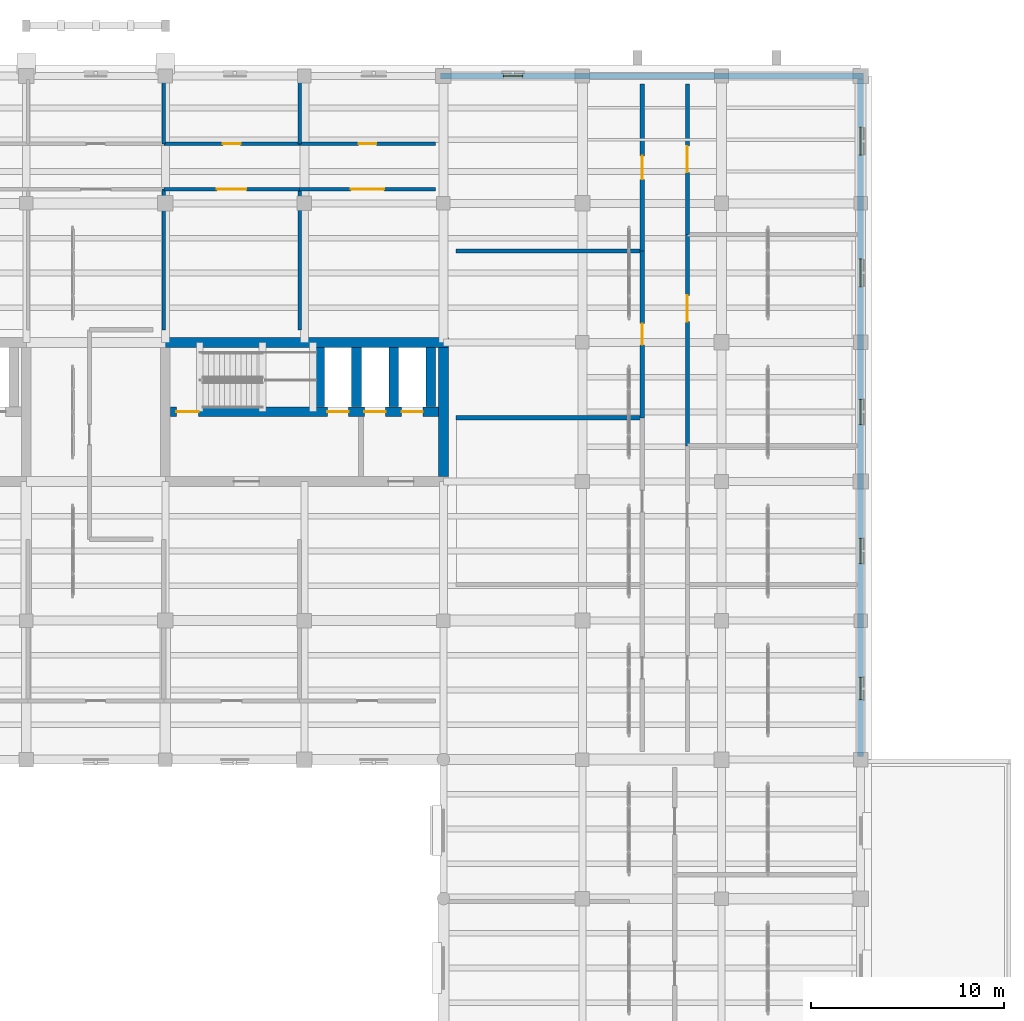
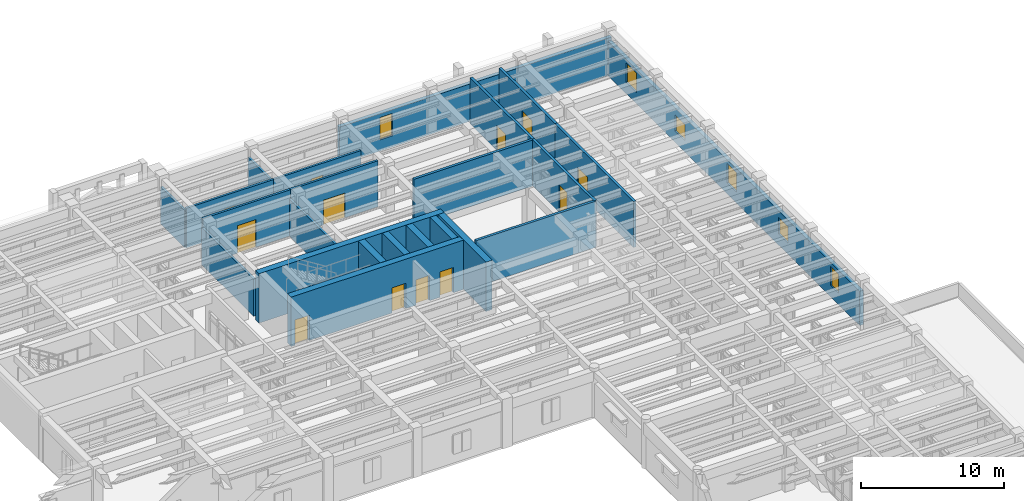
# One storey, part 62 of 76: 23 walls, 12 doors, 6 windows, 18 openings.
"""IFC4 building model written with IfcOpenShell, lengths in metres."""

from ifc_helpers import new_model, si_unit, direction, frame, frame_2d, origin, place, context, subcontext, project, spatial, rectangle, extrude, material, layer, layer_set, type_object, element, fill, save


model = new_model("IFC4")

# Units and contexts
model_context = context("Model", 3, precision=1e-05, world=origin(), true_north=direction((0.0, 1.0)))
body_context = subcontext(model_context, "Body", "Model", "MODEL_VIEW")
ifc_project = project(units=[si_unit("LENGTHUNIT", "METRE"), si_unit("AREAUNIT", "SQUARE_METRE"), si_unit("VOLUMEUNIT", "CUBIC_METRE"), si_unit("PLANEANGLEUNIT", "RADIAN"), si_unit("MASSUNIT", "GRAM", prefix="KILO")], contexts=[model_context])

# Site, building, storey
site_placement = place(None, origin())
site = spatial("IfcSite", under=ifc_project, at=site_placement, CompositionType="ELEMENT")
building_placement = place(site_placement, origin())
building = spatial("IfcBuilding", under=site, at=building_placement, Name="Mithqara Police Headquarters", CompositionType="ELEMENT")
storey_placement = place(building_placement, frame((0.0, 0.0, 5.39990234375)))
storey = spatial("IfcBuildingStorey", under=building, at=storey_placement, Name="L01", CompositionType="ELEMENT", Elevation=5.39990234375)

# Wall, openings, windows
ifc_material_1 = material(Name="Ochre masonry cavity wall, 35 MPa", Category="masonry")
ifc_layer_1 = layer(ifc_material_1, 0.300048828125, Name="Ochre masonry cavity wall, 35 MPa")
ifc_layer_set_1 = layer_set([ifc_layer_1], Name="Ochre masonry cavity wall, 35 MPa")
wall_type_1 = type_object("IfcWallType", Name="EXT WALL OCHRE BRICK300", PredefinedType="SOLIDWALL", material=ifc_layer_set_1)
wall_1_placement = place(storey_placement, frame((166.199951171875, 78.75, 0.0), z_axis=(0.0, 0.0, 1.0), x_axis=(0.0, 1.0, 0.0)))
wall_1 = element("IfcWall", 1, at=wall_1_placement, inside=storey, type_object=wall_type_1, Name="L01 Exterior Wall 8.1", PredefinedType="SOLIDWALL", context=body_context, shape_type="SweptSolid", body=[
    extrude(rectangle(XDim=35.10009765625, YDim=0.300048828125, at=frame_2d((17.550048828125, 0.0))), origin(), (0.0, 0.0, 1.0), 2.920166015625),
])
opening_1_placement = place(wall_1_placement, frame((2.949951171875, 0.0, 0.949951171875)))
opening_1 = element("IfcOpeningElement", 2, at=opening_1_placement, cuts=wall_1, Name="Opening W-12", PredefinedType="OPENING", context=body_context, shape_type="SweptSolid", body=[
    extrude(rectangle(XDim=1.14990234375, YDim=1.64990234375, at=frame_2d((0.574951171875, 0.824951171875))), frame((0.0, 0.16015625, 0.0), z_axis=(0.0, -1.0, 0.0), x_axis=(1.0, 0.0, 0.0)), (0.0, 0.0, 1.0), 0.320068359375),
])
opening_2_placement = place(wall_1_placement, frame((10.0, 0.0, 0.949951171875)))
opening_2 = element("IfcOpeningElement", 3, at=opening_2_placement, cuts=wall_1, Name="Opening W-16", PredefinedType="OPENING", context=body_context, shape_type="SweptSolid", body=[
    extrude(rectangle(XDim=1.300048828125, YDim=1.39990234375, at=frame_2d((0.64990234375, 0.699951171875))), frame((0.0, 0.16015625, 0.0), z_axis=(0.0, -1.0, 0.0), x_axis=(1.0, 0.0, 0.0)), (0.0, 0.0, 1.0), 0.320068359375),
])
opening_3_placement = place(wall_1_placement, frame((17.199951171875, 0.0, 0.949951171875)))
opening_3 = element("IfcOpeningElement", 4, at=opening_3_placement, cuts=wall_1, Name="Opening W-17", PredefinedType="OPENING", context=body_context, shape_type="SweptSolid", body=[
    extrude(rectangle(XDim=1.300048828125, YDim=1.64990234375, at=frame_2d((0.64990234375, 0.824951171875))), frame((0.0, 0.16015625, 0.0), z_axis=(0.0, -1.0, 0.0), x_axis=(1.0, 0.0, 0.0)), (0.0, 0.0, 1.0), 0.320068359375),
])
opening_4_placement = place(wall_1_placement, frame((24.324951171875, 0.0, 0.949951171875)))
opening_4 = element("IfcOpeningElement", 5, at=opening_4_placement, cuts=wall_1, Name="Opening W-21", PredefinedType="OPENING", context=body_context, shape_type="SweptSolid", body=[
    extrude(rectangle(XDim=1.449951171875, YDim=1.39990234375, at=frame_2d((0.72509765625, 0.699951171875))), frame((0.0, 0.16015625, 0.0), z_axis=(0.0, -1.0, 0.0), x_axis=(1.0, 0.0, 0.0)), (0.0, 0.0, 1.0), 0.320068359375),
])
opening_5_placement = place(wall_1_placement, frame((31.14990234375, 0.0, 0.949951171875)))
opening_5 = element("IfcOpeningElement", 6, at=opening_5_placement, cuts=wall_1, Name="Opening W-22", PredefinedType="OPENING", context=body_context, shape_type="SweptSolid", body=[
    extrude(rectangle(XDim=1.449951171875, YDim=1.64990234375, at=frame_2d((0.72509765625, 0.824951171875))), frame((0.0, 0.16015625, 0.0), z_axis=(0.0, -1.0, 0.0), x_axis=(1.0, 0.0, 0.0)), (0.0, 0.0, 1.0), 0.320068359375),
])
ifc_material_2 = material(Name="Spectrally selective double low-e glass", Category="glass")
window_type_1 = type_object("IfcWindowType", Name="WINDOW 1150X1650", PartitioningType="SINGLE_PANEL", PredefinedType="WINDOW", material=ifc_material_2)
window_1_placement = place(opening_1_placement, origin())
window_1 = element("IfcWindow", 7, at=window_1_placement, inside=storey, type_object=window_type_1, Name="L01 Command Block Screened Window 8.1", OverallHeight=1.64990234375, OverallWidth=1.14990234375, PartitioningType="SINGLE_PANEL", PredefinedType="WINDOW", context=body_context, shape_type="SweptSolid", body=[
    extrude(rectangle(XDim=1.14990234375, YDim=1.64990234375, at=frame_2d((0.574951171875, 0.824951171875))), frame((0.0, 0.030029296875, 0.0), z_axis=(0.0, -1.0, 0.0), x_axis=(1.0, 0.0, 0.0)), (0.0, 0.0, 1.0), 0.06005859375),
])
fill(opening_1, window_1)
window_type_2 = type_object("IfcWindowType", Name="WINDOW 1300X1400", PartitioningType="SINGLE_PANEL", PredefinedType="WINDOW", material=ifc_material_2)
window_2_placement = place(opening_2_placement, origin())
window_2 = element("IfcWindow", 8, at=window_2_placement, inside=storey, type_object=window_type_2, Name="L01 Command Block Screened Window 8.2", OverallHeight=1.39990234375, OverallWidth=1.300048828125, PartitioningType="SINGLE_PANEL", PredefinedType="WINDOW", context=body_context, shape_type="SweptSolid", body=[
    extrude(rectangle(XDim=1.300048828125, YDim=1.39990234375, at=frame_2d((0.64990234375, 0.699951171875))), frame((0.0, 0.030029296875, 0.0), z_axis=(0.0, -1.0, 0.0), x_axis=(1.0, 0.0, 0.0)), (0.0, 0.0, 1.0), 0.06005859375),
])
fill(opening_2, window_2)
window_type_3 = type_object("IfcWindowType", Name="WINDOW 1300X1650", PartitioningType="SINGLE_PANEL", PredefinedType="WINDOW", material=ifc_material_2)
window_3_placement = place(opening_3_placement, origin())
window_3 = element("IfcWindow", 9, at=window_3_placement, inside=storey, type_object=window_type_3, Name="L01 Command Block Screened Window 8.3", OverallHeight=1.64990234375, OverallWidth=1.300048828125, PartitioningType="SINGLE_PANEL", PredefinedType="WINDOW", context=body_context, shape_type="SweptSolid", body=[
    extrude(rectangle(XDim=1.300048828125, YDim=1.64990234375, at=frame_2d((0.64990234375, 0.824951171875))), frame((0.0, 0.030029296875, 0.0), z_axis=(0.0, -1.0, 0.0), x_axis=(1.0, 0.0, 0.0)), (0.0, 0.0, 1.0), 0.06005859375),
])
fill(opening_3, window_3)
window_type_4 = type_object("IfcWindowType", Name="WINDOW 1450X1400", PartitioningType="SINGLE_PANEL", PredefinedType="WINDOW", material=ifc_material_2)
window_4_placement = place(opening_4_placement, origin())
window_4 = element("IfcWindow", 10, at=window_4_placement, inside=storey, type_object=window_type_4, Name="L01 Command Block Screened Window 8.4", OverallHeight=1.39990234375, OverallWidth=1.449951171875, PartitioningType="SINGLE_PANEL", PredefinedType="WINDOW", context=body_context, shape_type="SweptSolid", body=[
    extrude(rectangle(XDim=1.449951171875, YDim=1.39990234375, at=frame_2d((0.72509765625, 0.699951171875))), frame((0.0, 0.030029296875, 0.0), z_axis=(0.0, -1.0, 0.0), x_axis=(1.0, 0.0, 0.0)), (0.0, 0.0, 1.0), 0.06005859375),
])
fill(opening_4, window_4)
window_type_5 = type_object("IfcWindowType", Name="WINDOW 1450X1650", PartitioningType="SINGLE_PANEL", PredefinedType="WINDOW", material=ifc_material_2)
window_5_placement = place(opening_5_placement, origin())
window_5 = element("IfcWindow", 11, at=window_5_placement, inside=storey, type_object=window_type_5, Name="L01 Command Block Screened Window 8.5", OverallHeight=1.64990234375, OverallWidth=1.449951171875, PartitioningType="SINGLE_PANEL", PredefinedType="WINDOW", context=body_context, shape_type="SweptSolid", body=[
    extrude(rectangle(XDim=1.449951171875, YDim=1.64990234375, at=frame_2d((0.72509765625, 0.824951171875))), frame((0.0, 0.030029296875, 0.0), z_axis=(0.0, -1.0, 0.0), x_axis=(1.0, 0.0, 0.0)), (0.0, 0.0, 1.0), 0.06005859375),
])
fill(opening_5, window_5)

# Wall, opening, window
wall_2_placement = place(storey_placement, frame((166.35009765625, 114.0, 0.0), z_axis=(0.0, 0.0, 1.0), x_axis=(-1.0, 0.0, 0.0)))
wall_2 = element("IfcWall", 12, at=wall_2_placement, inside=storey, type_object=wall_type_1, Name="L01 Exterior Wall 9.1", PredefinedType="SOLIDWALL", context=body_context, shape_type="SweptSolid", body=[
    extrude(rectangle(XDim=21.900146484375, YDim=0.300048828125, at=frame_2d((10.9501953125, 0.0))), origin(), (0.0, 0.0, 1.0), 3.170166015625),
])
opening_6_placement = place(wall_2_placement, frame((17.64990234375, 0.0, 0.949951171875)))
opening_6 = element("IfcOpeningElement", 13, at=opening_6_placement, cuts=wall_2, Name="Opening W-08", PredefinedType="OPENING", context=body_context, shape_type="SweptSolid", body=[
    extrude(rectangle(XDim=1.0, YDim=1.89990234375, at=frame_2d((0.5, 0.949951171875))), frame((0.0, 0.16015625, 0.0), z_axis=(0.0, -1.0, 0.0), x_axis=(1.0, 0.0, 0.0)), (0.0, 0.0, 1.0), 0.320068359375),
])
window_type_6 = type_object("IfcWindowType", Name="WINDOW 1000X1900", PartitioningType="SINGLE_PANEL", PredefinedType="WINDOW", material=ifc_material_2)
window_6_placement = place(opening_6_placement, origin())
window_6 = element("IfcWindow", 14, at=window_6_placement, inside=storey, type_object=window_type_6, Name="L01 Command Block Screened Window 9.1", OverallHeight=1.89990234375, OverallWidth=1.0, PartitioningType="SINGLE_PANEL", PredefinedType="WINDOW", context=body_context, shape_type="SweptSolid", body=[
    extrude(rectangle(XDim=1.0, YDim=1.89990234375, at=frame_2d((0.5, 0.949951171875))), frame((0.0, 0.030029296875, 0.0), z_axis=(0.0, -1.0, 0.0), x_axis=(1.0, 0.0, 0.0)), (0.0, 0.0, 1.0), 0.06005859375),
])
fill(opening_6, window_6)

# Wall
ifc_material_3 = material(Name="Concrete C40/50", Category="concrete")
ifc_layer_2 = layer(ifc_material_3, 0.179931640625, Name="Concrete C40/50")
ifc_layer_set_2 = layer_set([ifc_layer_2], Name="Concrete C40/50")
wall_type_2 = type_object("IfcWallType", Name="PART WALL 180", PredefinedType="PARTITIONING", material=ifc_layer_set_2)
wall_3_placement = place(storey_placement, frame((130.115966796875, 100.85009765625, 0.0), z_axis=(0.0, 0.0, 1.0), x_axis=(0.0, 1.0, 0.0)))
element("IfcWall", 15, at=wall_3_placement, inside=storey, type_object=wall_type_2, Name="L01 Room Partition Briefing Room", PredefinedType="PARTITIONING", context=body_context, shape_type="SweptSolid", body=[
    extrude(rectangle(XDim=7.289794921875, YDim=0.179931640625, at=frame_2d((3.64501953125, 0.0))), origin(), (0.0, 0.0, 1.0), 3.170166015625),
])

# Wall, opening, door
wall_4_placement = place(storey_placement, frame((130.115966796875, 108.139892578125, 0.0), z_axis=(0.0, 0.0, 1.0), x_axis=(1.0, 0.0, 0.0)))
wall_4 = element("IfcWall", 16, at=wall_4_placement, inside=storey, type_object=wall_type_2, Name="L01 Corridor Wall Duty Sergeant Office", PredefinedType="PARTITIONING", context=body_context, shape_type="SweptSolid", body=[
    extrude(rectangle(XDim=7.031982421875, YDim=0.179931640625, at=frame_2d((3.51611328125, 0.0))), origin(), (0.0, 0.0, 1.0), 3.920166015625),
])
opening_7_placement = place(wall_4_placement, frame((2.756103515625, 0.0, 0.0)))
opening_7 = element("IfcOpeningElement", 17, at=opening_7_placement, cuts=wall_4, Name="Opening D-21", PredefinedType="OPENING", context=body_context, shape_type="SweptSolid", body=[
    extrude(rectangle(XDim=1.52001953125, YDim=2.35009765625, at=frame_2d((0.760009765625, 1.175048828125))), frame((0.0, 0.10009765625, 0.0), z_axis=(0.0, -1.0, 0.0), x_axis=(1.0, 0.0, 0.0)), (0.0, 0.0, 1.0), 0.199951171875),
])
ifc_material_4 = material(Name="Bronze anodised aluminium 6063-T6", Category="aluminium")
door_type_1 = type_object("IfcDoorType", Name="INT DOOR 1520X2350", OperationType="NOTDEFINED", PredefinedType="DOOR", material=ifc_material_4)
door_1_placement = place(opening_7_placement, frame((1.52001953125, 0.0, 0.0), z_axis=(0.0, 0.0, 1.0), x_axis=(-1.0, 0.0, 0.0)))
door_1 = element("IfcDoor", 18, at=door_1_placement, inside=storey, type_object=door_type_1, Name="Duty Sergeant Office Entry Door", OperationType="DOUBLE_DOOR_SINGLE_SWING", OverallHeight=2.35009765625, OverallWidth=1.52001953125, PredefinedType="DOOR", context=body_context, shape_type="SweptSolid", body=[
    extrude(rectangle(XDim=1.52001953125, YDim=2.35009765625, at=frame_2d((0.760009765625, 1.175048828125))), frame((0.0, 0.02490234375, 0.0), z_axis=(0.0, -1.0, 0.0), x_axis=(1.0, 0.0, 0.0)), (0.0, 0.0, 1.0), 0.050048828125),
])
fill(opening_7, door_1)

# Wall
wall_5_placement = place(storey_placement, frame((137.14794921875, 100.85009765625, 0.0), z_axis=(0.0, 0.0, 1.0), x_axis=(0.0, 1.0, 0.0)))
element("IfcWall", 19, at=wall_5_placement, inside=storey, type_object=wall_type_2, Name="L01 Room Partition Duty Sergeant Office", PredefinedType="PARTITIONING", context=body_context, shape_type="SweptSolid", body=[
    extrude(rectangle(XDim=7.289794921875, YDim=0.179931640625, at=frame_2d((3.64501953125, 0.0))), origin(), (0.0, 0.0, 1.0), 3.170166015625),
])

# Wall, opening, door
wall_6_placement = place(storey_placement, frame((137.14794921875, 108.139892578125, 0.0), z_axis=(0.0, 0.0, 1.0), x_axis=(1.0, 0.0, 0.0)))
wall_6 = element("IfcWall", 20, at=wall_6_placement, inside=storey, type_object=wall_type_2, Name="L01 Corridor Wall Traffic Patrol Operations Room", PredefinedType="PARTITIONING", context=body_context, shape_type="SweptSolid", body=[
    extrude(rectangle(XDim=7.031982421875, YDim=0.179931640625, at=frame_2d((3.51611328125, 0.0))), origin(), (0.0, 0.0, 1.0), 3.920166015625),
])
opening_8_placement = place(wall_6_placement, frame((2.656005859375, 0.0, 0.0)))
opening_8 = element("IfcOpeningElement", 21, at=opening_8_placement, cuts=wall_6, Name="Opening D-22", PredefinedType="OPENING", context=body_context, shape_type="SweptSolid", body=[
    extrude(rectangle(XDim=1.719970703125, YDim=2.10009765625, at=frame_2d((0.85986328125, 1.050048828125))), frame((0.0, 0.10009765625, 0.0), z_axis=(0.0, -1.0, 0.0), x_axis=(1.0, 0.0, 0.0)), (0.0, 0.0, 1.0), 0.199951171875),
])
door_type_2 = type_object("IfcDoorType", Name="INT DOOR 1720X2100", OperationType="NOTDEFINED", PredefinedType="DOOR", material=ifc_material_4)
door_2_placement = place(opening_8_placement, frame((1.719970703125, 0.0, 0.0), z_axis=(0.0, 0.0, 1.0), x_axis=(-1.0, 0.0, 0.0)))
door_2 = element("IfcDoor", 22, at=door_2_placement, inside=storey, type_object=door_type_2, Name="Traffic Patrol Operations Room Entry Door", OperationType="DOUBLE_DOOR_SINGLE_SWING", OverallHeight=2.10009765625, OverallWidth=1.719970703125, PredefinedType="DOOR", context=body_context, shape_type="SweptSolid", body=[
    extrude(rectangle(XDim=1.719970703125, YDim=2.10009765625, at=frame_2d((0.85986328125, 1.050048828125))), frame((0.0, 0.02490234375, 0.0), z_axis=(0.0, -1.0, 0.0), x_axis=(1.0, 0.0, 0.0)), (0.0, 0.0, 1.0), 0.050048828125),
])
fill(opening_8, door_2)

# Wall
wall_7_placement = place(storey_placement, frame((130.115966796875, 110.47998046875, 0.0), z_axis=(0.0, 0.0, 1.0), x_axis=(0.0, 1.0, 0.0)))
element("IfcWall", 23, at=wall_7_placement, inside=storey, type_object=wall_type_2, Name="L01 Room Partition Duty Sergeant Office", PredefinedType="PARTITIONING", context=body_context, shape_type="SweptSolid", body=[
    extrude(rectangle(XDim=3.340087890625, YDim=0.179931640625, at=frame_2d((1.669921875, 0.0))), origin(), (0.0, 0.0, 1.0), 3.170166015625),
])

# Wall, opening, door
wall_8_placement = place(storey_placement, frame((130.115966796875, 110.47998046875, 0.0), z_axis=(0.0, 0.0, 1.0), x_axis=(1.0, 0.0, 0.0)))
wall_8 = element("IfcWall", 24, at=wall_8_placement, inside=storey, type_object=wall_type_2, Name="L01 Corridor Wall Traffic Patrol Operations Room", PredefinedType="PARTITIONING", context=body_context, shape_type="SweptSolid", body=[
    extrude(rectangle(XDim=7.031982421875, YDim=0.179931640625, at=frame_2d((3.51611328125, 0.0))), origin(), (0.0, 0.0, 1.0), 3.3701171875),
])
opening_9_placement = place(wall_8_placement, frame((3.055908203125, 0.0, 0.0)))
opening_9 = element("IfcOpeningElement", 25, at=opening_9_placement, cuts=wall_8, Name="Opening D-02", PredefinedType="OPENING", context=body_context, shape_type="SweptSolid", body=[
    extrude(rectangle(XDim=0.919921875, YDim=2.219970703125, at=frame_2d((0.4599609375, 1.10986328125))), frame((0.0, 0.10009765625, 0.0), z_axis=(0.0, -1.0, 0.0), x_axis=(1.0, 0.0, 0.0)), (0.0, 0.0, 1.0), 0.199951171875),
])
ifc_material_5 = material(Name="Acoustic solid-core timber leaf", Category="wood")
door_type_3 = type_object("IfcDoorType", Name="INT DOOR 920X2220", OperationType="NOTDEFINED", PredefinedType="DOOR", material=ifc_material_5)
door_3_placement = place(opening_9_placement, origin())
door_3 = element("IfcDoor", 26, at=door_3_placement, inside=storey, type_object=door_type_3, Name="Traffic Patrol Operations Room Entry Door", OperationType="SINGLE_SWING_LEFT", OverallHeight=2.219970703125, OverallWidth=0.919921875, PredefinedType="DOOR", context=body_context, shape_type="SweptSolid", body=[
    extrude(rectangle(XDim=0.919921875, YDim=2.219970703125, at=frame_2d((0.4599609375, 1.10986328125))), frame((0.0, 0.02490234375, 0.0), z_axis=(0.0, -1.0, 0.0), x_axis=(1.0, 0.0, 0.0)), (0.0, 0.0, 1.0), 0.050048828125),
])
fill(opening_9, door_3)

# Wall
wall_9_placement = place(storey_placement, frame((137.14794921875, 110.47998046875, 0.0), z_axis=(0.0, 0.0, 1.0), x_axis=(0.0, 1.0, 0.0)))
element("IfcWall", 27, at=wall_9_placement, inside=storey, type_object=wall_type_2, Name="L01 Room Partition Traffic Patrol Operations Room", PredefinedType="PARTITIONING", context=body_context, shape_type="SweptSolid", body=[
    extrude(rectangle(XDim=3.340087890625, YDim=0.179931640625, at=frame_2d((1.669921875, 0.0))), origin(), (0.0, 0.0, 1.0), 3.22021484375),
])

# Wall, opening, door
wall_10_placement = place(storey_placement, frame((137.14794921875, 110.47998046875, 0.0), z_axis=(0.0, 0.0, 1.0), x_axis=(1.0, 0.0, 0.0)))
wall_10 = element("IfcWall", 28, at=wall_10_placement, inside=storey, type_object=wall_type_2, Name="L01 Corridor Wall Municipal Camera Liaison Room", PredefinedType="PARTITIONING", context=body_context, shape_type="SweptSolid", body=[
    extrude(rectangle(XDim=7.031982421875, YDim=0.179931640625, at=frame_2d((3.51611328125, 0.0))), origin(), (0.0, 0.0, 1.0), 3.3701171875),
])
opening_10_placement = place(wall_10_placement, frame((3.055908203125, 0.0, 0.0)))
opening_10 = element("IfcOpeningElement", 29, at=opening_10_placement, cuts=wall_10, Name="Opening D-03", PredefinedType="OPENING", context=body_context, shape_type="SweptSolid", body=[
    extrude(rectangle(XDim=0.919921875, YDim=2.35009765625, at=frame_2d((0.4599609375, 1.175048828125))), frame((0.0, 0.10009765625, 0.0), z_axis=(0.0, -1.0, 0.0), x_axis=(1.0, 0.0, 0.0)), (0.0, 0.0, 1.0), 0.199951171875),
])
door_type_4 = type_object("IfcDoorType", Name="INT DOOR 920X2350", OperationType="NOTDEFINED", PredefinedType="DOOR", material=ifc_material_5)
door_4_placement = place(opening_10_placement, origin())
door_4 = element("IfcDoor", 30, at=door_4_placement, inside=storey, type_object=door_type_4, Name="Municipal Camera Liaison Room Entry Door", OperationType="SINGLE_SWING_RIGHT", OverallHeight=2.35009765625, OverallWidth=0.919921875, PredefinedType="DOOR", context=body_context, shape_type="SweptSolid", body=[
    extrude(rectangle(XDim=0.919921875, YDim=2.35009765625, at=frame_2d((0.4599609375, 1.175048828125))), frame((0.0, 0.02490234375, 0.0), z_axis=(0.0, -1.0, 0.0), x_axis=(1.0, 0.0, 0.0)), (0.0, 0.0, 1.0), 0.050048828125),
])
fill(opening_10, door_4)

# Wall
ifc_layer_3 = layer(ifc_material_3, 0.2099609375, Name="Concrete C40/50")
ifc_layer_set_3 = layer_set([ifc_layer_3], Name="Concrete C40/50")
wall_type_3 = type_object("IfcWallType", Name="PART WALL 210", PredefinedType="PARTITIONING", material=ifc_layer_set_3)
wall_11_placement = place(storey_placement, frame((145.25, 96.300048828125, 0.0), z_axis=(0.0, 0.0, 1.0), x_axis=(1.0, 0.0, 0.0)))
element("IfcWall", 31, at=wall_11_placement, inside=storey, type_object=wall_type_3, Name="L01 Room Partition Patrol Supervisors' Office", PredefinedType="PARTITIONING", context=body_context, shape_type="SweptSolid", body=[
    extrude(rectangle(XDim=9.64501953125, YDim=0.2099609375, at=frame_2d((4.822509765625, 0.0))), origin(), (0.0, 0.0, 1.0), 3.920166015625),
])

# Wall, opening, door
wall_12_placement = place(storey_placement, frame((154.89501953125, 96.300048828125, 0.0), z_axis=(0.0, 0.0, 1.0), x_axis=(0.0, 1.0, 0.0)))
wall_12 = element("IfcWall", 32, at=wall_12_placement, inside=storey, type_object=wall_type_3, Name="L01 Corridor Wall Male Staff WC", PredefinedType="PARTITIONING", context=body_context, shape_type="SweptSolid", body=[
    extrude(rectangle(XDim=8.639892578125, YDim=0.2099609375, at=frame_2d((4.31982421875, 0.0))), origin(), (0.0, 0.0, 1.0), 3.920166015625),
])
opening_11_placement = place(wall_12_placement, frame((3.77001953125, 0.0, 0.0)))
opening_11 = element("IfcOpeningElement", 33, at=opening_11_placement, cuts=wall_12, Name="Opening D-12", PredefinedType="OPENING", context=body_context, shape_type="SweptSolid", body=[
    extrude(rectangle(XDim=1.10009765625, YDim=2.35009765625, at=frame_2d((0.550048828125, 1.175048828125))), frame((0.0, 0.114990234375, 0.0), z_axis=(0.0, -1.0, 0.0), x_axis=(1.0, 0.0, 0.0)), (0.0, 0.0, 1.0), 0.22998046875),
])
door_type_5 = type_object("IfcDoorType", Name="INT DOOR 1100X2350", OperationType="NOTDEFINED", PredefinedType="DOOR", material=ifc_material_5)
door_5_placement = place(opening_11_placement, frame((1.10009765625, 0.0, 0.0), z_axis=(0.0, 0.0, 1.0), x_axis=(-1.0, 0.0, 0.0)))
door_5 = element("IfcDoor", 34, at=door_5_placement, inside=storey, type_object=door_type_5, Name="Male Staff WC Entry Door", OperationType="SINGLE_SWING_LEFT", OverallHeight=2.35009765625, OverallWidth=1.10009765625, PredefinedType="DOOR", context=body_context, shape_type="SweptSolid", body=[
    extrude(rectangle(XDim=1.10009765625, YDim=2.35009765625, at=frame_2d((0.550048828125, 1.175048828125))), frame((0.0, 0.02490234375, 0.0), z_axis=(0.0, -1.0, 0.0), x_axis=(1.0, 0.0, 0.0)), (0.0, 0.0, 1.0), 0.050048828125),
])
fill(opening_11, door_5)

# Wall
wall_13_placement = place(storey_placement, frame((145.25, 104.93994140625, 0.0), z_axis=(0.0, 0.0, 1.0), x_axis=(1.0, 0.0, 0.0)))
element("IfcWall", 35, at=wall_13_placement, inside=storey, type_object=wall_type_3, Name="L01 Room Partition Male Staff WC", PredefinedType="PARTITIONING", context=body_context, shape_type="SweptSolid", body=[
    extrude(rectangle(XDim=9.64501953125, YDim=0.2099609375, at=frame_2d((4.822509765625, 0.0))), origin(), (0.0, 0.0, 1.0), 3.920166015625),
])

# Wall, opening, door
wall_14_placement = place(storey_placement, frame((154.89501953125, 104.93994140625, 0.0), z_axis=(0.0, 0.0, 1.0), x_axis=(0.0, 1.0, 0.0)))
wall_14 = element("IfcWall", 36, at=wall_14_placement, inside=storey, type_object=wall_type_3, Name="L01 Corridor Wall Female Staff WC", PredefinedType="PARTITIONING", context=body_context, shape_type="SweptSolid", body=[
    extrude(rectangle(XDim=8.64013671875, YDim=0.2099609375, at=frame_2d((4.320068359375, 0.0))), origin(), (0.0, 0.0, 1.0), 3.920166015625),
])
opening_12_placement = place(wall_14_placement, frame((3.7099609375, 0.0, 0.0)))
opening_12 = element("IfcOpeningElement", 37, at=opening_12_placement, cuts=wall_14, Name="Opening D-13", PredefinedType="OPENING", context=body_context, shape_type="SweptSolid", body=[
    extrude(rectangle(XDim=1.219970703125, YDim=2.10009765625, at=frame_2d((0.60986328125, 1.050048828125))), frame((0.0, 0.114990234375, 0.0), z_axis=(0.0, -1.0, 0.0), x_axis=(1.0, 0.0, 0.0)), (0.0, 0.0, 1.0), 0.22998046875),
])
door_type_6 = type_object("IfcDoorType", Name="INT DOOR 1220X2100", OperationType="NOTDEFINED", PredefinedType="DOOR", material=ifc_material_5)
door_6_placement = place(opening_12_placement, frame((1.219970703125, 0.0, 0.0), z_axis=(0.0, 0.0, 1.0), x_axis=(-1.0, 0.0, 0.0)))
door_6 = element("IfcDoor", 38, at=door_6_placement, inside=storey, type_object=door_type_6, Name="Female Staff WC Entry Door", OperationType="SINGLE_SWING_RIGHT", OverallHeight=2.10009765625, OverallWidth=1.219970703125, PredefinedType="DOOR", context=body_context, shape_type="SweptSolid", body=[
    extrude(rectangle(XDim=1.219970703125, YDim=2.10009765625, at=frame_2d((0.60986328125, 1.050048828125))), frame((0.0, 0.02490234375, 0.0), z_axis=(0.0, -1.0, 0.0), x_axis=(1.0, 0.0, 0.0)), (0.0, 0.0, 1.0), 0.050048828125),
])
fill(opening_12, door_6)

wall_15_placement = place(storey_placement, frame((157.235107421875, 94.85009765625, 0.0), z_axis=(0.0, 0.0, 1.0), x_axis=(0.0, 1.0, 0.0)))
wall_15 = element("IfcWall", 39, at=wall_15_placement, inside=storey, type_object=wall_type_3, Name="L01 Corridor Wall Patrol Supervisors' Office", PredefinedType="PARTITIONING", context=body_context, shape_type="SweptSolid", body=[
    extrude(rectangle(XDim=10.93994140625, YDim=0.2099609375, at=frame_2d((5.469970703125, 0.0))), origin(), (0.0, 0.0, 1.0), 3.920166015625),
])
opening_13_placement = place(wall_15_placement, frame((6.430908203125, 0.0, 0.0)))
opening_13 = element("IfcOpeningElement", 40, at=opening_13_placement, cuts=wall_15, Name="Opening D-16", PredefinedType="OPENING", context=body_context, shape_type="SweptSolid", body=[
    extrude(rectangle(XDim=1.360107421875, YDim=2.10009765625, at=frame_2d((0.68017578125, 1.050048828125))), frame((0.0, 0.114990234375, 0.0), z_axis=(0.0, -1.0, 0.0), x_axis=(1.0, 0.0, 0.0)), (0.0, 0.0, 1.0), 0.22998046875),
])
door_type_7 = type_object("IfcDoorType", Name="INT DOOR 1360X2100", OperationType="NOTDEFINED", PredefinedType="DOOR", material=ifc_material_4)
door_7_placement = place(opening_13_placement, origin())
door_7 = element("IfcDoor", 41, at=door_7_placement, inside=storey, type_object=door_type_7, Name="Patrol Supervisors' Office Entry Door", OperationType="SINGLE_SWING_LEFT", OverallHeight=2.10009765625, OverallWidth=1.360107421875, PredefinedType="DOOR", context=body_context, shape_type="SweptSolid", body=[
    extrude(rectangle(XDim=1.360107421875, YDim=2.10009765625, at=frame_2d((0.68017578125, 1.050048828125))), frame((0.0, 0.02490234375, 0.0), z_axis=(0.0, -1.0, 0.0), x_axis=(1.0, 0.0, 0.0)), (0.0, 0.0, 1.0), 0.050048828125),
])
fill(opening_13, door_7)

wall_16_placement = place(storey_placement, frame((157.235107421875, 105.7900390625, 0.0), z_axis=(0.0, 0.0, 1.0), x_axis=(0.0, 1.0, 0.0)))
wall_16 = element("IfcWall", 42, at=wall_16_placement, inside=storey, type_object=wall_type_3, Name="L01 Corridor Wall Male Staff WC", PredefinedType="PARTITIONING", context=body_context, shape_type="SweptSolid", body=[
    extrude(rectangle(XDim=7.7900390625, YDim=0.2099609375, at=frame_2d((3.89501953125, 0.0))), origin(), (0.0, 0.0, 1.0), 3.920166015625),
])
opening_14_placement = place(wall_16_placement, frame((3.215087890625, 0.0, 0.0)))
opening_14 = element("IfcOpeningElement", 43, at=opening_14_placement, cuts=wall_16, Name="Opening D-17", PredefinedType="OPENING", context=body_context, shape_type="SweptSolid", body=[
    extrude(rectangle(XDim=1.360107421875, YDim=2.219970703125, at=frame_2d((0.68017578125, 1.10986328125))), frame((0.0, 0.114990234375, 0.0), z_axis=(0.0, -1.0, 0.0), x_axis=(1.0, 0.0, 0.0)), (0.0, 0.0, 1.0), 0.22998046875),
])
door_type_8 = type_object("IfcDoorType", Name="INT DOOR 1360X2220", OperationType="NOTDEFINED", PredefinedType="DOOR", material=ifc_material_4)
door_8_placement = place(opening_14_placement, origin())
door_8 = element("IfcDoor", 44, at=door_8_placement, inside=storey, type_object=door_type_8, Name="Male Staff WC Entry Door", OperationType="SINGLE_SWING_RIGHT", OverallHeight=2.219970703125, OverallWidth=1.360107421875, PredefinedType="DOOR", context=body_context, shape_type="SweptSolid", body=[
    extrude(rectangle(XDim=1.360107421875, YDim=2.219970703125, at=frame_2d((0.68017578125, 1.10986328125))), frame((0.0, 0.02490234375, 0.0), z_axis=(0.0, -1.0, 0.0), x_axis=(1.0, 0.0, 0.0)), (0.0, 0.0, 1.0), 0.050048828125),
])
fill(opening_14, door_8)

# Walls
ifc_material_6 = material(Name="Concrete C50/60", Category="concrete")
ifc_layer_4 = layer(ifc_material_6, 0.5, Name="Concrete C50/60")
ifc_layer_set_4 = layer_set([ifc_layer_4], Name="Concrete C50/60")
wall_type_4 = type_object("IfcWallType", Name="SHEAR WALL 500", PredefinedType="SHEAR", material=ifc_layer_set_4)
wall_17_placement = place(storey_placement, frame((129.949951171875, 100.199951171875, 0.0), z_axis=(0.0, 0.0, 1.0), x_axis=(1.0, 0.0, 0.0)))
element("IfcWall", 45, at=wall_17_placement, inside=storey, type_object=wall_type_4, Name="Core C2 Command East Shear Wall N", PredefinedType="SHEAR", context=body_context, shape_type="SweptSolid", body=[
    extrude(rectangle(XDim=14.900146484375, YDim=0.5, at=frame_2d((7.4501953125, 0.0))), origin(), (0.0, 0.0, 1.0), 4.2001953125),
])
wall_18_placement = place(storey_placement, frame((144.60009765625, 93.260009765625, 0.0), z_axis=(0.0, 0.0, 1.0), x_axis=(0.0, 1.0, 0.0)))
element("IfcWall", 46, at=wall_18_placement, inside=storey, type_object=wall_type_4, Name="Core C2 Command East Shear Wall E", PredefinedType="SHEAR", context=body_context, shape_type="SweptSolid", body=[
    extrude(rectangle(XDim=6.679931640625, YDim=0.5, at=frame_2d((3.33984375, 0.0))), origin(), (0.0, 0.0, 1.0), 4.2001953125),
])

# Wall, openings, doors
wall_19_placement = place(storey_placement, frame((130.4599609375, 96.6201171875, 0.0), z_axis=(0.0, 0.0, 1.0), x_axis=(1.0, 0.0, 0.0)))
wall_19 = element("IfcWall", 47, at=wall_19_placement, inside=storey, type_object=wall_type_4, Name="Core C2 Command East Shear Wall M", PredefinedType="SHEAR", context=body_context, shape_type="SweptSolid", body=[
    extrude(rectangle(XDim=13.880126953125, YDim=0.5, at=frame_2d((6.93994140625, 0.0))), origin(), (0.0, 0.0, 1.0), 4.2001953125),
])
opening_15_placement = place(wall_19_placement, frame((8.1298828125, 0.0, 0.0)))
opening_15 = element("IfcOpeningElement", 48, at=opening_15_placement, cuts=wall_19, Name="Opening LD-01", PredefinedType="OPENING", context=body_context, shape_type="SweptSolid", body=[
    extrude(rectangle(XDim=1.10009765625, YDim=2.14990234375, at=frame_2d((0.550048828125, 1.074951171875))), frame((0.0, 0.260009765625, 0.0), z_axis=(0.0, -1.0, 0.0), x_axis=(1.0, 0.0, 0.0)), (0.0, 0.0, 1.0), 0.52001953125),
])
opening_16_placement = place(wall_19_placement, frame((10.050048828125, 0.0, 0.0)))
opening_16 = element("IfcOpeningElement", 49, at=opening_16_placement, cuts=wall_19, Name="Opening LD-01", PredefinedType="OPENING", context=body_context, shape_type="SweptSolid", body=[
    extrude(rectangle(XDim=1.10009765625, YDim=2.14990234375, at=frame_2d((0.550048828125, 1.074951171875))), frame((0.0, 0.260009765625, 0.0), z_axis=(0.0, -1.0, 0.0), x_axis=(1.0, 0.0, 0.0)), (0.0, 0.0, 1.0), 0.52001953125),
])
opening_17_placement = place(wall_19_placement, frame((11.969970703125, 0.0, 0.0)))
opening_17 = element("IfcOpeningElement", 50, at=opening_17_placement, cuts=wall_19, Name="Opening LD-01", PredefinedType="OPENING", context=body_context, shape_type="SweptSolid", body=[
    extrude(rectangle(XDim=1.10009765625, YDim=2.14990234375, at=frame_2d((0.550048828125, 1.074951171875))), frame((0.0, 0.260009765625, 0.0), z_axis=(0.0, -1.0, 0.0), x_axis=(1.0, 0.0, 0.0)), (0.0, 0.0, 1.0), 0.52001953125),
])
opening_18_placement = place(wall_19_placement, frame((0.31494140625, 0.0, 0.0)))
opening_18 = element("IfcOpeningElement", 51, at=opening_18_placement, cuts=wall_19, Name="Opening FD-01", PredefinedType="OPENING", context=body_context, shape_type="SweptSolid", body=[
    extrude(rectangle(XDim=1.14990234375, YDim=2.14990234375, at=frame_2d((0.574951171875, 1.074951171875))), frame((0.0, 0.260009765625, 0.0), z_axis=(0.0, -1.0, 0.0), x_axis=(1.0, 0.0, 0.0)), (0.0, 0.0, 1.0), 0.52001953125),
])
ifc_material_7 = material(Name="Steel S355JR", Category="steel")
door_type_9 = type_object("IfcDoorType", Name="CORE DOOR STAIR 1150X2150", OperationType="NOTDEFINED", PredefinedType="DOOR", material=ifc_material_7)
door_9_placement = place(opening_18_placement, origin())
door_9 = element("IfcDoor", 52, at=door_9_placement, inside=storey, type_object=door_type_9, Name="Stair ST-02 Fire Door L01", OperationType="SINGLE_SWING_LEFT", OverallHeight=2.14990234375, OverallWidth=1.14990234375, PredefinedType="DOOR", context=body_context, shape_type="SweptSolid", body=[
    extrude(rectangle(XDim=1.14990234375, YDim=2.14990234375, at=frame_2d((0.574951171875, 1.074951171875))), frame((0.0, 0.02490234375, 0.0), z_axis=(0.0, -1.0, 0.0), x_axis=(1.0, 0.0, 0.0)), (0.0, 0.0, 1.0), 0.050048828125),
])
fill(opening_18, door_9)
door_type_10 = type_object("IfcDoorType", Name="LIFT DOOR 1100X2150", OperationType="DOUBLE_DOOR_SLIDING", PredefinedType="DOOR", material=ifc_material_7)
door_10_placement = place(opening_15_placement, frame((1.10009765625, 0.0, 0.0), z_axis=(0.0, 0.0, 1.0), x_axis=(-1.0, 0.0, 0.0)))
door_10 = element("IfcDoor", 53, at=door_10_placement, inside=storey, type_object=door_type_10, Name="Lift Landing Door FL-02-L01", OperationType="DOUBLE_DOOR_SLIDING", OverallHeight=2.14990234375, OverallWidth=1.10009765625, PredefinedType="DOOR", context=body_context, shape_type="SweptSolid", body=[
    extrude(rectangle(XDim=1.10009765625, YDim=2.14990234375, at=frame_2d((0.550048828125, 1.074951171875))), frame((0.0, 0.02490234375, 0.0), z_axis=(0.0, -1.0, 0.0), x_axis=(1.0, 0.0, 0.0)), (0.0, 0.0, 1.0), 0.050048828125),
])
fill(opening_15, door_10)
door_11_placement = place(opening_16_placement, frame((1.10009765625, 0.0, 0.0), z_axis=(0.0, 0.0, 1.0), x_axis=(-1.0, 0.0, 0.0)))
door_11 = element("IfcDoor", 54, at=door_11_placement, inside=storey, type_object=door_type_10, Name="Lift Landing Door LP-03-L01", OperationType="DOUBLE_DOOR_SLIDING", OverallHeight=2.14990234375, OverallWidth=1.10009765625, PredefinedType="DOOR", context=body_context, shape_type="SweptSolid", body=[
    extrude(rectangle(XDim=1.10009765625, YDim=2.14990234375, at=frame_2d((0.550048828125, 1.074951171875))), frame((0.0, 0.02490234375, 0.0), z_axis=(0.0, -1.0, 0.0), x_axis=(1.0, 0.0, 0.0)), (0.0, 0.0, 1.0), 0.050048828125),
])
fill(opening_16, door_11)
door_12_placement = place(opening_17_placement, frame((1.10009765625, 0.0, 0.0), z_axis=(0.0, 0.0, 1.0), x_axis=(-1.0, 0.0, 0.0)))
door_12 = element("IfcDoor", 55, at=door_12_placement, inside=storey, type_object=door_type_10, Name="Lift Landing Door LP-04-L01", OperationType="DOUBLE_DOOR_SLIDING", OverallHeight=2.14990234375, OverallWidth=1.10009765625, PredefinedType="DOOR", context=body_context, shape_type="SweptSolid", body=[
    extrude(rectangle(XDim=1.10009765625, YDim=2.14990234375, at=frame_2d((0.550048828125, 1.074951171875))), frame((0.0, 0.02490234375, 0.0), z_axis=(0.0, -1.0, 0.0), x_axis=(1.0, 0.0, 0.0)), (0.0, 0.0, 1.0), 0.050048828125),
])
fill(opening_17, door_12)

# Walls
for number, where, z_axis, x_axis, name in (
    (56, (138.179931640625, 96.8798828125, 0.0), (0.0, 0.0, 1.0), (0.0, 1.0, 0.0), "Core C2 Command East Shear Wall X"),
    (57, (140.10009765625, 96.8798828125, 0.0), (0.0, 0.0, 1.0), (0.0, 1.0, 0.0), "Core C2 Command East Shear Wall L1"),
    (58, (142.02001953125, 96.8798828125, 0.0), (0.0, 0.0, 1.0), (0.0, 1.0, 0.0), "Core C2 Command East Shear Wall L2"),
    (59, (143.93994140625, 96.8798828125, 0.0), (0.0, 0.0, 1.0), (0.0, 1.0, 0.0), "Core C2 Command East Shear Wall L3"),
):
    element("IfcWall", number, at=place(storey_placement, frame(where, z_axis=z_axis, x_axis=x_axis)), inside=storey, type_object=wall_type_4, Name=name, PredefinedType="SHEAR", context=body_context, shape_type="SweptSolid", body=[
        extrude(rectangle(XDim=3.06005859375, YDim=0.5, at=frame_2d((1.530029296875, 0.0))), origin(), (0.0, 0.0, 1.0), 4.2001953125),
    ])

save(model, "model.ifc")
